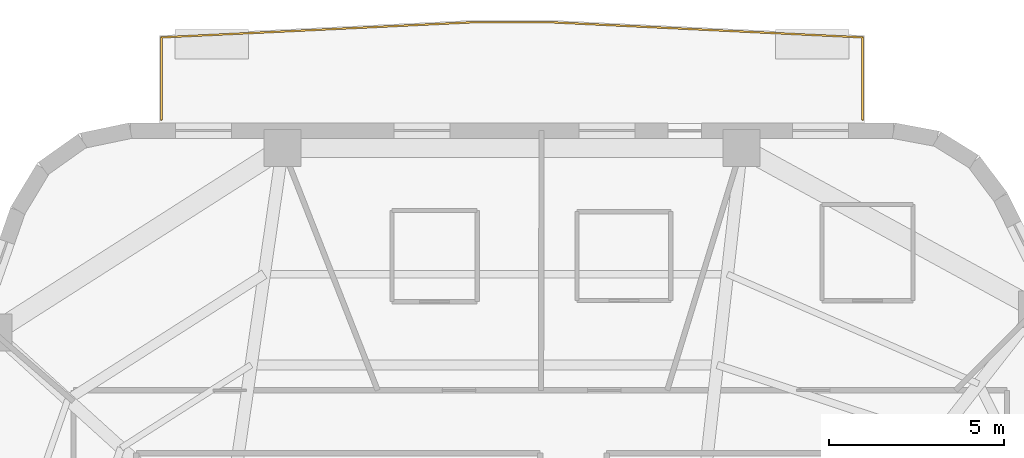
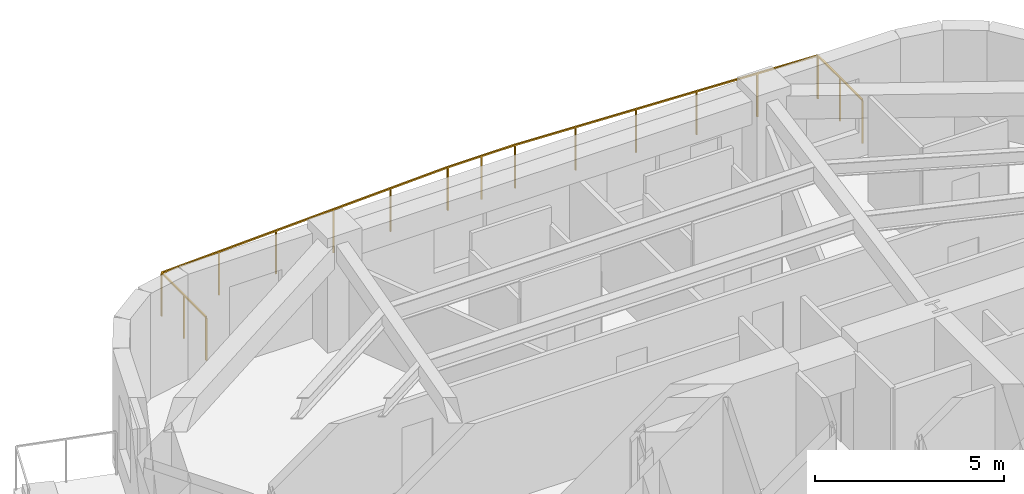
# One storey, part 11 of 11: 1 railing.
"""IFC4 building model written with IfcOpenShell, lengths in metres."""

from ifc_helpers import new_model, si_unit, direction, frame, origin, origin_2d, place, context, subcontext, project, spatial, rectangle, extrude, material, layer, layer_set, type_object, element, save


model = new_model("IFC4")

# Units and contexts
model_context = context("Model", 3, precision=1e-05, world=origin(), true_north=direction((0.0, 1.0)))
body_context = subcontext(model_context, "Body", "Model", "MODEL_VIEW")
ifc_project = project(units=[si_unit("LENGTHUNIT", "METRE"), si_unit("AREAUNIT", "SQUARE_METRE"), si_unit("VOLUMEUNIT", "CUBIC_METRE"), si_unit("PLANEANGLEUNIT", "RADIAN"), si_unit("MASSUNIT", "GRAM", prefix="KILO")], contexts=[model_context])

# Site, building, storey
site_placement = place(None, origin())
site = spatial("IfcSite", under=ifc_project, at=site_placement, CompositionType="ELEMENT")
building_placement = place(site_placement, origin())
building = spatial("IfcBuilding", under=site, at=building_placement, Name="Kilnhurst Terrace Hotel", CompositionType="ELEMENT")
storey_placement = place(building_placement, frame((0.0, 0.0, 162.800048828125)))
storey = spatial("IfcBuildingStorey", under=building, at=storey_placement, Name="L40", CompositionType="ELEMENT", Elevation=162.800048828125)

# Railing
ifc_material = material(Name="Laminated SentryGlas and Stainless Steel AISI 316L Balustrade", Category="steel")
ifc_layer = layer(ifc_material, 0.070068359375, Name="Laminated SentryGlas and Stainless Steel AISI 316L Balustrade")
ifc_layer_set = layer_set([ifc_layer], Name="Laminated SentryGlas and Stainless Steel AISI 316L Balustrade")
railing_type = type_object("IfcRailingType", Name="RLG-BAL-1420", PredefinedType="BALUSTRADE", material=ifc_layer_set)
railing_placement = place(storey_placement, frame((-10.83349609375, 19.580078125, 0.0)))
element("IfcRailing", 1, at=railing_placement, inside=storey, type_object=railing_type, Name="L40 Exterior Terrace Guardrail BAL-L2A.1", PredefinedType="BALUSTRADE", context=body_context, shape_type="SweptSolid", body=[
    extrude(rectangle(XDim=0.048095703125, YDim=0.048095703125, at=origin_2d()), frame((0.0, 0.0, 1.39599609375), z_axis=(0.0, 1.0, 0.0), x_axis=(-1.0, 0.0, 0.0)), (0.0, 0.0, 1.0), 2.36279296875),
    extrude(rectangle(XDim=0.048095703125, YDim=0.048095703125, at=origin_2d()), frame((0.0, 2.36279296875, 1.39599609375), z_axis=(0.998822813861, 0.048507592295, 0.0), x_axis=(-0.048507592295, 0.998822813861, 0.0)), (0.0, 0.0, 1.0), 9.009033203125),
    extrude(rectangle(XDim=0.048095703125, YDim=0.048095703125, at=origin_2d()), frame((8.99853515625, 2.7998046875, 1.39599609375), z_axis=(1.0, 0.0, 0.0), x_axis=(0.0, 1.0, 0.0)), (0.0, 0.0, 1.0), 2.0556640625),
    extrude(rectangle(XDim=0.048095703125, YDim=0.048095703125, at=origin_2d()), frame((11.05419921875, 2.7998046875, 1.39599609375), z_axis=(0.998822813861, -0.048507592295, 0.0), x_axis=(0.048507592295, 0.998822813861, 0.0)), (0.0, 0.0, 1.0), 9.009033203125),
    extrude(rectangle(XDim=0.048095703125, YDim=0.048095703125, at=origin_2d()), frame((20.052734375, 2.36279296875, 1.39599609375), z_axis=(0.0, -1.0, 0.0), x_axis=(1.0, 0.0, 0.0)), (0.0, 0.0, 1.0), 2.36279296875),
    extrude(rectangle(XDim=0.0419921875, YDim=0.0419921875, at=origin_2d()), origin(), (0.0, 0.0, 1.0), 1.371826171875),
    extrude(rectangle(XDim=0.0419921875, YDim=0.0419921875, at=origin_2d()), frame((0.0, 1.181396484375, 0.0)), (0.0, 0.0, 1.0), 1.371826171875),
    extrude(rectangle(XDim=0.0419921875, YDim=0.0419921875, at=origin_2d()), frame((0.0, 2.36279296875, 0.0)), (0.0, 0.0, 1.0), 1.371826171875),
    extrude(rectangle(XDim=0.0419921875, YDim=0.0419921875, at=origin_2d()), frame((1.7998046875, 2.4501953125, 0.0)), (0.0, 0.0, 1.0), 1.371826171875),
    extrude(rectangle(XDim=0.0419921875, YDim=0.0419921875, at=origin_2d()), frame((3.599365234375, 2.53759765625, 0.0)), (0.0, 0.0, 1.0), 1.371826171875),
    extrude(rectangle(XDim=0.0419921875, YDim=0.0419921875, at=origin_2d()), frame((5.399169921875, 2.625, 0.0)), (0.0, 0.0, 1.0), 1.371826171875),
    extrude(rectangle(XDim=0.0419921875, YDim=0.0419921875, at=origin_2d()), frame((7.19873046875, 2.71240234375, 0.0)), (0.0, 0.0, 1.0), 1.371826171875),
    extrude(rectangle(XDim=0.0419921875, YDim=0.0419921875, at=origin_2d()), frame((8.99853515625, 2.7998046875, 0.0)), (0.0, 0.0, 1.0), 1.371826171875),
    extrude(rectangle(XDim=0.0419921875, YDim=0.0419921875, at=origin_2d()), frame((10.0263671875, 2.7998046875, 0.0)), (0.0, 0.0, 1.0), 1.371826171875),
    extrude(rectangle(XDim=0.0419921875, YDim=0.0419921875, at=origin_2d()), frame((11.05419921875, 2.7998046875, 0.0)), (0.0, 0.0, 1.0), 1.371826171875),
    extrude(rectangle(XDim=0.0419921875, YDim=0.0419921875, at=origin_2d()), frame((12.85400390625, 2.71240234375, 0.0)), (0.0, 0.0, 1.0), 1.371826171875),
    extrude(rectangle(XDim=0.0419921875, YDim=0.0419921875, at=origin_2d()), frame((14.653564453125, 2.625, 0.0)), (0.0, 0.0, 1.0), 1.371826171875),
    extrude(rectangle(XDim=0.0419921875, YDim=0.0419921875, at=origin_2d()), frame((16.453369140625, 2.53759765625, 0.0)), (0.0, 0.0, 1.0), 1.371826171875),
    extrude(rectangle(XDim=0.0419921875, YDim=0.0419921875, at=origin_2d()), frame((18.2529296875, 2.4501953125, 0.0)), (0.0, 0.0, 1.0), 1.371826171875),
    extrude(rectangle(XDim=0.0419921875, YDim=0.0419921875, at=origin_2d()), frame((20.052734375, 2.36279296875, 0.0)), (0.0, 0.0, 1.0), 1.371826171875),
    extrude(rectangle(XDim=0.0419921875, YDim=0.0419921875, at=origin_2d()), frame((20.052734375, 1.181396484375, 0.0)), (0.0, 0.0, 1.0), 1.371826171875),
    extrude(rectangle(XDim=0.0419921875, YDim=0.0419921875, at=origin_2d()), frame((20.052734375, 0.0, 0.0)), (0.0, 0.0, 1.0), 1.371826171875),
])

save(model, "model.ifc")
